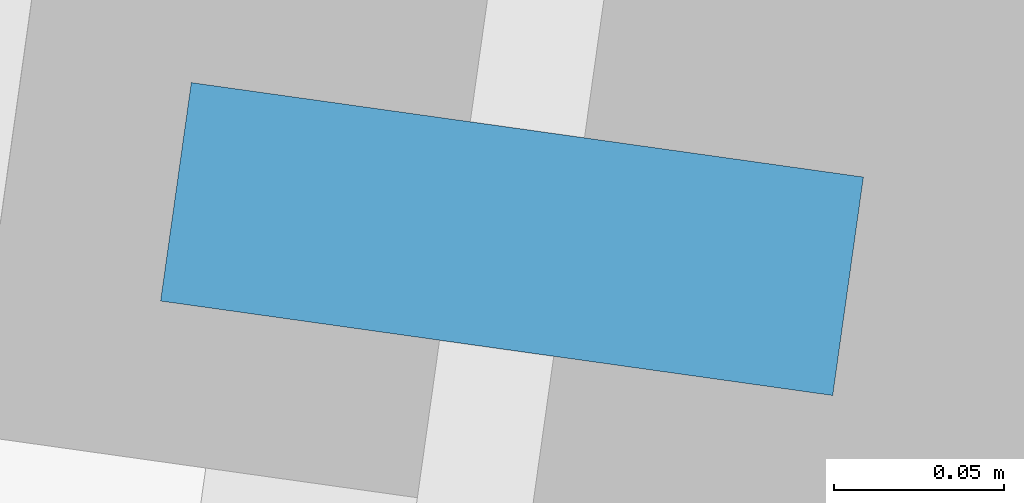
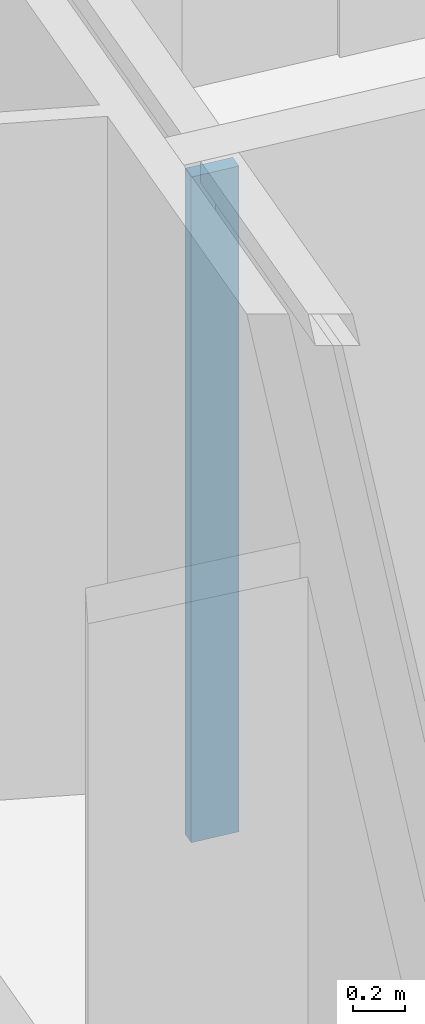
# One storey, part 6 of 49: 1 member, 1 element without a shape of its own.
"""IFC4 building model written with IfcOpenShell, lengths in metres."""

from ifc_helpers import new_model, si_unit, direction, frame, origin, origin_2d, place, context, subcontext, project, spatial, rectangle, extrude, material, material_profile, profile_set, type_object, element, aggregate, save


model = new_model("IFC4")

# Units and contexts
model_context = context("Model", 3, precision=1e-05, world=origin(), true_north=direction((0.0, 1.0)))
body_context = subcontext(model_context, "Body", "Model", "MODEL_VIEW")
ifc_project = project(units=[si_unit("LENGTHUNIT", "METRE"), si_unit("AREAUNIT", "SQUARE_METRE"), si_unit("VOLUMEUNIT", "CUBIC_METRE"), si_unit("PLANEANGLEUNIT", "RADIAN"), si_unit("MASSUNIT", "GRAM", prefix="KILO")], contexts=[model_context])

# Site, building, storey
site_placement = place(None, origin())
site = spatial("IfcSite", under=ifc_project, at=site_placement, CompositionType="ELEMENT")
building_placement = place(site_placement, origin())
building = spatial("IfcBuilding", under=site, at=building_placement, Name="Mirante Cascada Hotel Towers", CompositionType="ELEMENT")
storey_placement = place(building_placement, frame((0.0, 0.0, 66.1)))
storey = spatial("IfcBuildingStorey", under=building, at=storey_placement, Name="L13", CompositionType="ELEMENT", Elevation=66.1)

# Curtain wall, member
ifc_material_1 = material(Name="Aluminium mullion and transom frame with clear laminated glass", Category="aluminium")
curtain_wall_type = type_object("IfcCurtainWallType", Name="End ribbon curtain wall ECW2", PredefinedType="NOTDEFINED", material=ifc_material_1)
curtain_wall_placement = place(storey_placement, origin())
curtain_wall = element("IfcCurtainWall", 1, at=curtain_wall_placement, inside=storey, type_object=curtain_wall_type, Name="Outer end wall T1 L13", PredefinedType="NOTDEFINED")
ifc_material_2 = material(Name="Anodised aluminium extrusion", Category="aluminium")
ifc_material_profile = material_profile(ifc_material_2, rectangle(XDim=0.2, YDim=0.065, at=origin_2d()), Name="ECW2 MULLION 65x200")
ifc_profile_set = profile_set([ifc_material_profile], Name="Anodised aluminium extrusion")
member_type = type_object("IfcMemberType", Name="ECW2 mullion 65x200", PredefinedType="MULLION", material=ifc_profile_set)
member_placement = place(storey_placement, frame((-100.481, 12.7654, 0.1), z_axis=(0.0, 0.0, 1.0), x_axis=(-0.9902681, 0.1391731, 0.0)))
member = element("IfcMember", 2, at=member_placement, type_object=member_type, Name="ECW2 mullion 5", PredefinedType="MULLION", context=body_context, shape_type="SweptSolid", body=[
    extrude(rectangle(XDim=0.2, YDim=0.065, at=origin_2d()), origin(), (0.0, 0.0, 1.0), 3.15),
])
aggregate(curtain_wall, [member])

save(model, "model.ifc")
